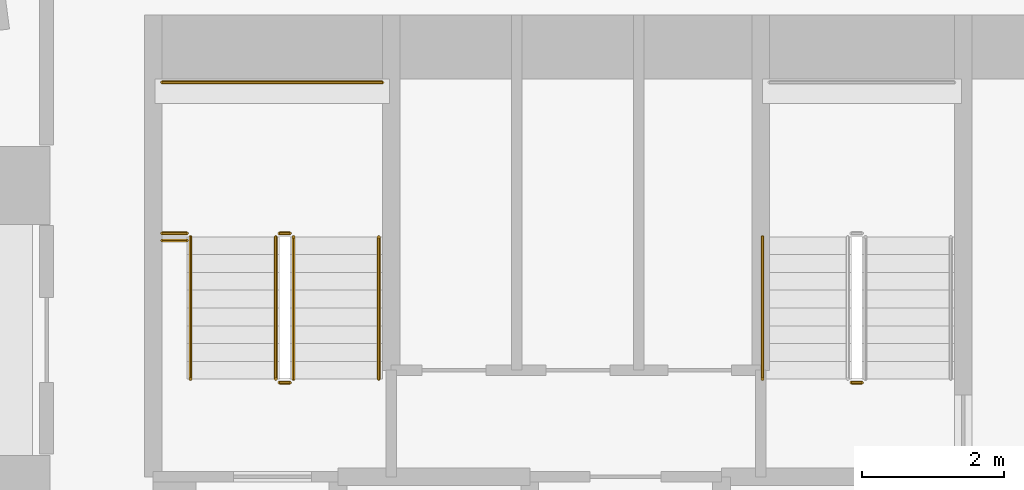
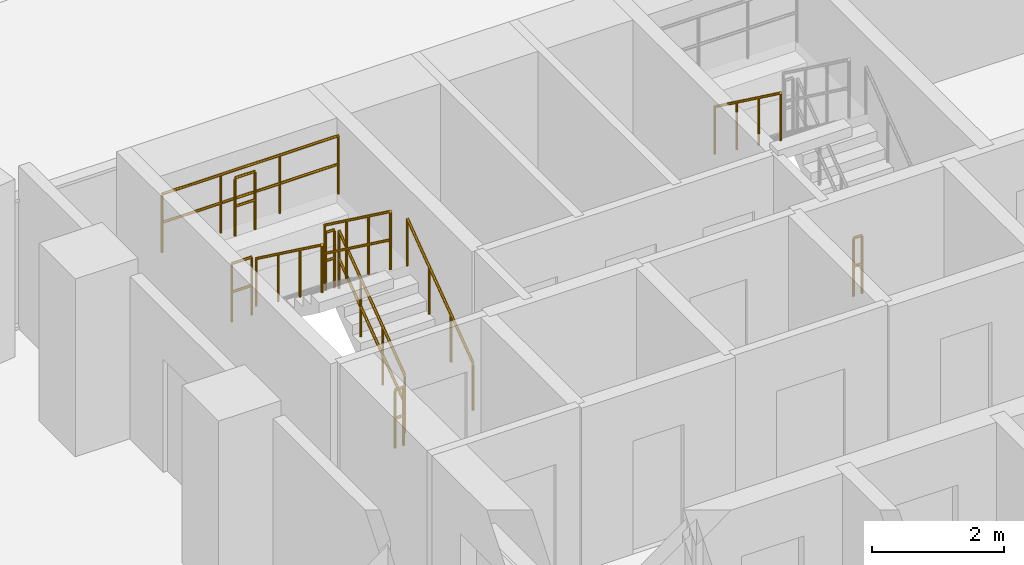
# One storey, part 21 of 24: 11 railings.
"""IFC4 building model written with IfcOpenShell, lengths in metres."""

from ifc_helpers import new_model, si_unit, direction, frame, origin, origin_2d, place, context, subcontext, project, spatial, circle, extrude, material, type_object, element, save


model = new_model("IFC4")

# Units and contexts
model_context = context("Model", 3, precision=1e-05, world=origin(), true_north=direction((0.0, 1.0)))
body_context = subcontext(model_context, "Body", "Model", "MODEL_VIEW")
ifc_project = project(units=[si_unit("LENGTHUNIT", "METRE"), si_unit("AREAUNIT", "SQUARE_METRE"), si_unit("VOLUMEUNIT", "CUBIC_METRE"), si_unit("PLANEANGLEUNIT", "RADIAN"), si_unit("MASSUNIT", "GRAM", prefix="KILO")], contexts=[model_context])

# Site, building, storey
site_placement = place(None, origin())
site = spatial("IfcSite", under=ifc_project, at=site_placement, CompositionType="ELEMENT")
building_placement = place(site_placement, origin())
building = spatial("IfcBuilding", under=site, at=building_placement, Name="Nakaniwa Court", CompositionType="ELEMENT")
storey_placement = place(building_placement, frame((0.0, 0.0, 28.199951171875)))
storey = spatial("IfcBuildingStorey", under=building, at=storey_placement, Name="L06", CompositionType="ELEMENT", Elevation=28.199951171875)

# Railings
ifc_material_1 = material(Name="Black powder coated steel guard", Category="steel")
railing_type_1 = type_object("IfcRailingType", Name="Stair guard 1100", PredefinedType="GUARDRAIL", material=ifc_material_1)
railing_1_placement = place(storey_placement, frame((73.97509765625, 98.27490234375, 0.183349609375)))
element("IfcRailing", 1, at=railing_1_placement, inside=storey, type_object=railing_type_1, Name="L06 ST1 stair guard 1", PredefinedType="GUARDRAIL", context=body_context, shape_type="SweptSolid", body=[
    extrude(circle(Radius=0.02392578125, at=origin_2d()), frame((0.0, 0.0, 1.076171875), z_axis=(0.0, 0.806379959628, 0.591397802423), x_axis=(-1.0, 0.0, 0.0)), (0.0, 0.0, 1.0), 2.480224609375),
    extrude(circle(Radius=0.02392578125, at=origin_2d()), frame((0.0, 0.0, 0.550048828125), z_axis=(0.0, 0.806379959628, 0.591397802423), x_axis=(-1.0, 0.0, 0.0)), (0.0, 0.0, 1.0), 2.480224609375),
    extrude(circle(Radius=0.02099609375, at=origin_2d()), origin(), (0.0, 0.0, 1.0), 1.052001953125),
    extrude(circle(Radius=0.02099609375, at=origin_2d()), frame((0.0, 0.666748046875, 0.489013671875)), (0.0, 0.0, 1.0), 1.052001953125),
    extrude(circle(Radius=0.02099609375, at=origin_2d()), frame((0.0, 1.333251953125, 0.977783203125)), (0.0, 0.0, 1.0), 1.052001953125),
    extrude(circle(Radius=0.02099609375, at=origin_2d()), frame((0.0, 2.0, 1.466796875)), (0.0, 0.0, 1.0), 1.052001953125),
])
railing_2_placement = place(storey_placement, frame((73.925048828125, 100.324951171875, 1.650146484375)))
element("IfcRailing", 2, at=railing_2_placement, inside=storey, type_object=railing_type_1, Name="L06 ST1 stair guard 2", PredefinedType="GUARDRAIL", context=body_context, shape_type="SweptSolid", body=[
    extrude(circle(Radius=0.02392578125, at=origin_2d()), frame((0.0, 0.0, 1.076171875), z_axis=(-1.0, 0.0, 0.0), x_axis=(0.0, -1.0, 0.0)), (0.0, 0.0, 1.0), 0.150146484375),
    extrude(circle(Radius=0.02392578125, at=origin_2d()), frame((0.0, 0.0, 0.550048828125), z_axis=(-1.0, 0.0, 0.0), x_axis=(0.0, -1.0, 0.0)), (0.0, 0.0, 1.0), 0.150146484375),
    extrude(circle(Radius=0.02099609375, at=origin_2d()), origin(), (0.0, 0.0, 1.0), 1.052001953125),
    extrude(circle(Radius=0.02099609375, at=origin_2d()), frame((-0.150146484375, 0.0, 0.0)), (0.0, 0.0, 1.0), 1.052001953125),
])
railing_3_placement = place(storey_placement, frame((73.72509765625, 100.27490234375, 1.83349609375)))
element("IfcRailing", 3, at=railing_3_placement, inside=storey, type_object=railing_type_1, Name="L06 ST1 stair guard 3", PredefinedType="GUARDRAIL", context=body_context, shape_type="SweptSolid", body=[
    extrude(circle(Radius=0.02392578125, at=origin_2d()), frame((0.0, 0.0, 1.076171875), z_axis=(0.0, -0.806426902644, 0.591333789573), x_axis=(1.0, 0.0, 0.0)), (0.0, 0.0, 1.0), 2.47998046875),
    extrude(circle(Radius=0.02392578125, at=origin_2d()), frame((0.0, 0.0, 0.550048828125), z_axis=(0.0, -0.806426902644, 0.591333789573), x_axis=(1.0, 0.0, 0.0)), (0.0, 0.0, 1.0), 2.47998046875),
    extrude(circle(Radius=0.02099609375, at=origin_2d()), origin(), (0.0, 0.0, 1.0), 1.052001953125),
    extrude(circle(Radius=0.02099609375, at=origin_2d()), frame((0.0, -0.666748046875, 0.48876953125)), (0.0, 0.0, 1.0), 1.052001953125),
    extrude(circle(Radius=0.02099609375, at=origin_2d()), frame((0.0, -1.333251953125, 0.977783203125)), (0.0, 0.0, 1.0), 1.052001953125),
    extrude(circle(Radius=0.02099609375, at=origin_2d()), frame((0.0, -2.0, 1.466552734375)), (0.0, 0.0, 1.0), 1.052001953125),
])
railing_4_placement = place(storey_placement, frame((73.925048828125, 98.22509765625, 0.0)))
element("IfcRailing", 4, at=railing_4_placement, inside=storey, type_object=railing_type_1, Name="L06 ST1 stair guard 4", PredefinedType="GUARDRAIL", context=body_context, shape_type="SweptSolid", body=[
    extrude(circle(Radius=0.02392578125, at=origin_2d()), frame((0.0, 0.0, 1.076171875), z_axis=(-1.0, 0.0, 0.0), x_axis=(0.0, -1.0, 0.0)), (0.0, 0.0, 1.0), 0.150146484375),
    extrude(circle(Radius=0.02392578125, at=origin_2d()), frame((0.0, 0.0, 0.550048828125), z_axis=(-1.0, 0.0, 0.0), x_axis=(0.0, -1.0, 0.0)), (0.0, 0.0, 1.0), 0.150146484375),
    extrude(circle(Radius=0.02099609375, at=origin_2d()), origin(), (0.0, 0.0, 1.0), 1.052001953125),
    extrude(circle(Radius=0.02099609375, at=origin_2d()), frame((-0.150146484375, 0.0, 0.0)), (0.0, 0.0, 1.0), 1.052001953125),
])
railing_5_placement = place(storey_placement, frame((72.125, 102.449951171875, 1.650146484375)))
element("IfcRailing", 5, at=railing_5_placement, inside=storey, type_object=railing_type_1, Name="L06 ST1 landing end guard 1", PredefinedType="GUARDRAIL", context=body_context, shape_type="SweptSolid", body=[
    extrude(circle(Radius=0.02392578125, at=origin_2d()), frame((0.0, 0.0, 1.076171875), z_axis=(1.0, 0.0, 0.0), x_axis=(0.0, 1.0, 0.0)), (0.0, 0.0, 1.0), 3.10009765625),
    extrude(circle(Radius=0.02392578125, at=origin_2d()), frame((0.0, 0.0, 0.550048828125), z_axis=(1.0, 0.0, 0.0), x_axis=(0.0, 1.0, 0.0)), (0.0, 0.0, 1.0), 3.10009765625),
    extrude(circle(Radius=0.02099609375, at=origin_2d()), origin(), (0.0, 0.0, 1.0), 1.052001953125),
    extrude(circle(Radius=0.02099609375, at=origin_2d()), frame((1.033447265625, 0.0, 0.0)), (0.0, 0.0, 1.0), 1.052001953125),
    extrude(circle(Radius=0.02099609375, at=origin_2d()), frame((2.066650390625, 0.0, 0.0)), (0.0, 0.0, 1.0), 1.052001953125),
    extrude(circle(Radius=0.02099609375, at=origin_2d()), frame((3.10009765625, 0.0, 0.0)), (0.0, 0.0, 1.0), 1.052001953125),
])
for number, where, name in (
    (6, (72.125, 100.324951171875, 1.650146484375), "L06 ST1 landing side guard 1W"),
    (7, (72.125, 100.22509765625, 3.300048828125), "L06 ST1 floor edge guard 1W"),
):
    element("IfcRailing", number, at=place(storey_placement, frame(where)), inside=storey, type_object=railing_type_1, Name=name, PredefinedType="GUARDRAIL", context=body_context, shape_type="SweptSolid", body=[
        extrude(circle(Radius=0.02392578125, at=origin_2d()), frame((0.0, 0.0, 1.076171875), z_axis=(1.0, 0.0, 0.0), x_axis=(0.0, 1.0, 0.0)), (0.0, 0.0, 1.0), 0.35009765625),
        extrude(circle(Radius=0.02392578125, at=origin_2d()), frame((0.0, 0.0, 0.550048828125), z_axis=(1.0, 0.0, 0.0), x_axis=(0.0, 1.0, 0.0)), (0.0, 0.0, 1.0), 0.35009765625),
        extrude(circle(Radius=0.02099609375, at=origin_2d()), origin(), (0.0, 0.0, 1.0), 1.052001953125),
        extrude(circle(Radius=0.02099609375, at=origin_2d()), frame((0.35009765625, 0.0, 0.0)), (0.0, 0.0, 1.0), 1.052001953125),
    ])
railing_6_placement = place(storey_placement, frame((81.97509765625, 98.22509765625, 0.0)))
element("IfcRailing", 8, at=railing_6_placement, inside=storey, type_object=railing_type_1, Name="L06 ST2 stair guard 4", PredefinedType="GUARDRAIL", context=body_context, shape_type="SweptSolid", body=[
    extrude(circle(Radius=0.02392578125, at=origin_2d()), frame((0.0, 0.0, 1.076171875), z_axis=(-1.0, 0.0, 0.0), x_axis=(0.0, -1.0, 0.0)), (0.0, 0.0, 1.0), 0.150146484375),
    extrude(circle(Radius=0.02392578125, at=origin_2d()), frame((0.0, 0.0, 0.550048828125), z_axis=(-1.0, 0.0, 0.0), x_axis=(0.0, -1.0, 0.0)), (0.0, 0.0, 1.0), 0.150146484375),
    extrude(circle(Radius=0.02099609375, at=origin_2d()), origin(), (0.0, 0.0, 1.0), 1.052001953125),
    extrude(circle(Radius=0.02099609375, at=origin_2d()), frame((-0.150146484375, 0.0, 0.0)), (0.0, 0.0, 1.0), 1.052001953125),
])
ifc_material_2 = material(Name="Black powder coated steel handrail", Category="steel")
railing_type_2 = type_object("IfcRailingType", Name="Stair handrail 900", PredefinedType="HANDRAIL", material=ifc_material_2)
railing_7_placement = place(storey_placement, frame((75.175048828125, 98.27490234375, 0.183349609375)))
element("IfcRailing", 9, at=railing_7_placement, inside=storey, type_object=railing_type_2, Name="L06 ST1 stair handrail 1", PredefinedType="HANDRAIL", context=body_context, shape_type="SweptSolid", body=[
    extrude(circle(Radius=0.02392578125, at=origin_2d()), frame((0.0, 0.0, 0.8759765625), z_axis=(0.0, 0.806379959628, 0.591397802423), x_axis=(-1.0, 0.0, 0.0)), (0.0, 0.0, 1.0), 2.480224609375),
    extrude(circle(Radius=0.02099609375, at=origin_2d()), origin(), (0.0, 0.0, 1.0), 0.851806640625),
    extrude(circle(Radius=0.02099609375, at=origin_2d()), frame((0.0, 0.666748046875, 0.489013671875)), (0.0, 0.0, 1.0), 0.851806640625),
    extrude(circle(Radius=0.02099609375, at=origin_2d()), frame((0.0, 1.333251953125, 0.977783203125)), (0.0, 0.0, 1.0), 0.851806640625),
    extrude(circle(Radius=0.02099609375, at=origin_2d()), frame((0.0, 2.0, 1.466796875)), (0.0, 0.0, 1.0), 0.851806640625),
])
for number, where, name in (
    (10, (72.52490234375, 100.27490234375, 1.83349609375), "L06 ST1 stair handrail 2"),
    (11, (80.574951171875, 100.27490234375, 1.83349609375), "L06 ST2 stair handrail 2"),
):
    element("IfcRailing", number, at=place(storey_placement, frame(where)), inside=storey, type_object=railing_type_2, Name=name, PredefinedType="HANDRAIL", context=body_context, shape_type="SweptSolid", body=[
        extrude(circle(Radius=0.02392578125, at=origin_2d()), frame((0.0, 0.0, 0.8759765625), z_axis=(0.0, -0.806426902644, 0.591333789573), x_axis=(1.0, 0.0, 0.0)), (0.0, 0.0, 1.0), 2.47998046875),
        extrude(circle(Radius=0.02099609375, at=origin_2d()), origin(), (0.0, 0.0, 1.0), 0.851806640625),
        extrude(circle(Radius=0.02099609375, at=origin_2d()), frame((0.0, -0.666748046875, 0.48876953125)), (0.0, 0.0, 1.0), 0.851806640625),
        extrude(circle(Radius=0.02099609375, at=origin_2d()), frame((0.0, -1.333251953125, 0.977783203125)), (0.0, 0.0, 1.0), 0.851806640625),
        extrude(circle(Radius=0.02099609375, at=origin_2d()), frame((0.0, -2.0, 1.466552734375)), (0.0, 0.0, 1.0), 0.851806640625),
    ])

save(model, "model.ifc")
